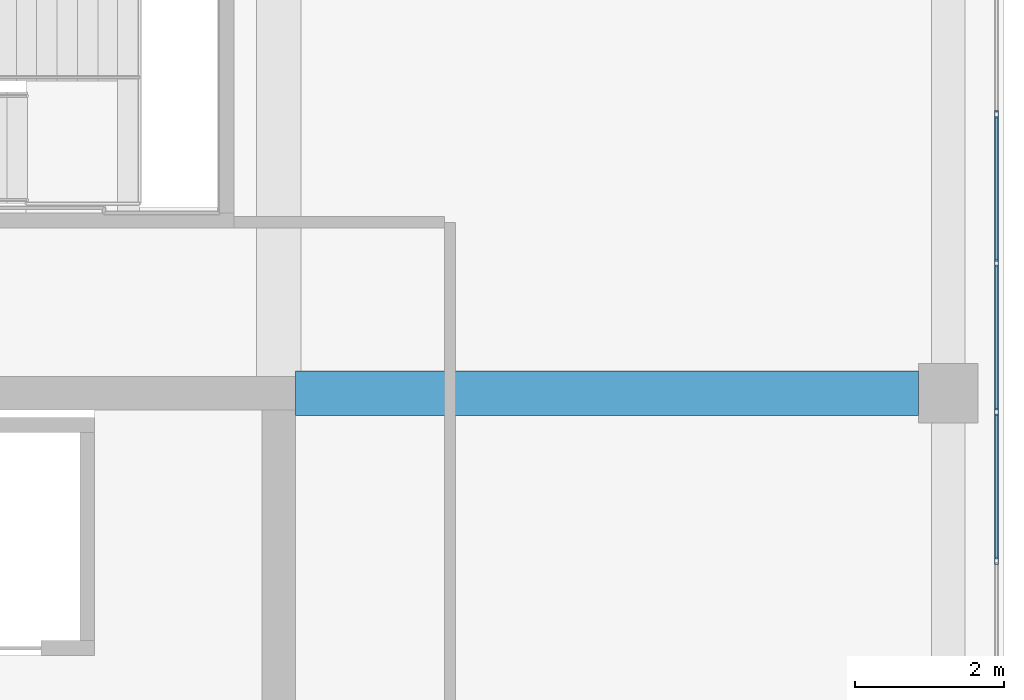
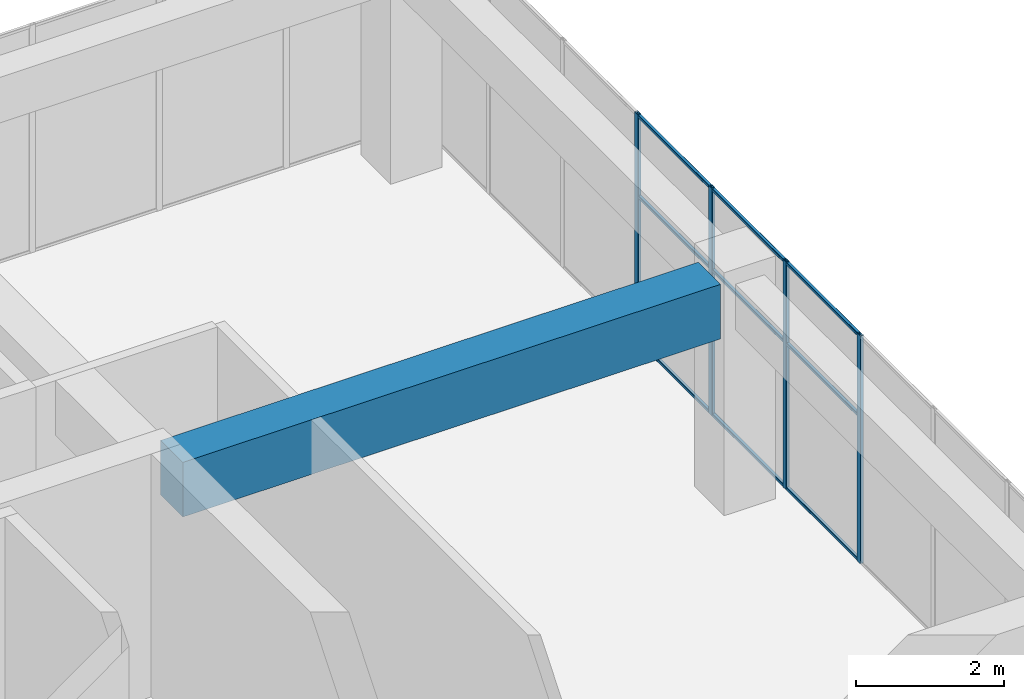
# One storey, part 43 of 66: 13 members, 1 beam, 1 element without a shape of its own.
"""IFC4 building model written with IfcOpenShell, lengths in metres."""

from ifc_helpers import new_model, si_unit, direction, frame, origin, origin_2d, place, context, subcontext, project, spatial, rectangle, hollow_rectangle, extrude, material, layer, layer_set, material_profile, profile_set, type_object, element, aggregate, save


model = new_model("IFC4")

# Units and contexts
model_context = context("Model", 3, precision=1e-05, world=origin(), true_north=direction((0.0, 1.0)))
body_context = subcontext(model_context, "Body", "Model", "MODEL_VIEW")
ifc_project = project(units=[si_unit("LENGTHUNIT", "METRE"), si_unit("AREAUNIT", "SQUARE_METRE"), si_unit("VOLUMEUNIT", "CUBIC_METRE"), si_unit("PLANEANGLEUNIT", "RADIAN"), si_unit("MASSUNIT", "GRAM", prefix="KILO")], contexts=[model_context])

# Site, building, storey
site_placement = place(None, origin())
site = spatial("IfcSite", under=ifc_project, at=site_placement, CompositionType="ELEMENT")
building_placement = place(site_placement, origin())
building = spatial("IfcBuilding", under=site, at=building_placement, Name="Tuart Plaza Theatre", CompositionType="ELEMENT")
storey_placement = place(building_placement, frame((0.0, 0.0, 5.5)))
storey = spatial("IfcBuildingStorey", under=building, at=storey_placement, Name="L01", CompositionType="ELEMENT", Elevation=5.5)

# Beam
ifc_material_1 = material(Name="Concrete N40 (40 MPa)", Category="concrete")
ifc_material_profile_1 = material_profile(ifc_material_1, rectangle(XDim=0.60009765625, YDim=0.89990234375, at=origin_2d()), Name="BEAM 600x900 Concrete N40 (40 MPa)")
ifc_profile_set_1 = profile_set([ifc_material_profile_1], Name="Concrete N40 (40 MPa)")
beam_type = type_object("IfcBeamType", Name="BEAM 600x900 Concrete N40 (40 MPa)", PredefinedType="BEAM", material=ifc_profile_set_1)
beam_placement = place(storey_placement, frame((141.22509765625, 83.0, 3.300048828125), z_axis=(1.0, 0.0, 0.0), x_axis=(0.0, 1.0, 0.0)))
element("IfcBeam", 1, at=beam_placement, inside=storey, type_object=beam_type, Name="RB196", PredefinedType="BEAM", context=body_context, shape_type="SweptSolid", body=[
    extrude(rectangle(XDim=0.60009765625, YDim=0.89990234375, at=origin_2d()), origin(), (0.0, 0.0, 1.0), 8.375),
])

# Curtain wall, members
ifc_material_2 = material(Name="Aluminium and glass", Category="aluminium")
ifc_layer = layer(ifc_material_2, 0.10009765625)
ifc_layer_set = layer_set([ifc_layer], Name="CURTAIN WALL 2000 module")
curtain_wall_type = type_object("IfcCurtainWallType", Name="CURTAIN WALL 2000 module", PredefinedType="NOTDEFINED", material=ifc_layer_set)
curtain_wall_placement = place(storey_placement, origin())
curtain_wall = element("IfcCurtainWall", 2, at=curtain_wall_placement, inside=storey, type_object=curtain_wall_type, Name="CW69", PredefinedType="NOTDEFINED")
ifc_material_3 = material(Name="Aluminium 6063-T5", Category="aluminium")
ifc_material_profile_2 = material_profile(ifc_material_3, hollow_rectangle(XDim=0.050048828125, YDim=0.10009765625, WallThickness=0.00390625, InnerFilletRadius=0.00390625, OuterFilletRadius=0.008056640625, at=origin_2d()), Name="RHS 100x50x4")
ifc_profile_set_2 = profile_set([ifc_material_profile_2], Name="Aluminium 6063-T5")
member_type_1 = type_object("IfcMemberType", Name="MULLION RHS 100x50x4", PredefinedType="MULLION", material=ifc_profile_set_2)
member_1_placement = place(storey_placement, frame((150.64990234375, 80.75, 0.0), z_axis=(0.0, 0.0, 1.0), x_axis=(-1.0, 0.0, 0.0)))
member_1 = element("IfcMember", 3, at=member_1_placement, type_object=member_type_1, Name="CW69 mullion 16", PredefinedType="MULLION", context=body_context, shape_type="SweptSolid", body=[
    extrude(hollow_rectangle(XDim=0.050048828125, YDim=0.10009765625, WallThickness=0.00390625, InnerFilletRadius=0.00390625, OuterFilletRadius=0.008056640625, at=origin_2d()), origin(), (0.0, 0.0, 1.0), 3.75),
])
member_2_placement = place(storey_placement, frame((150.64990234375, 82.75, 0.0), z_axis=(0.0, 0.0, 1.0), x_axis=(-1.0, 0.0, 0.0)))
member_2 = element("IfcMember", 4, at=member_2_placement, type_object=member_type_1, Name="CW69 mullion 17", PredefinedType="MULLION", context=body_context, shape_type="SweptSolid", body=[
    extrude(hollow_rectangle(XDim=0.050048828125, YDim=0.10009765625, WallThickness=0.00390625, InnerFilletRadius=0.00390625, OuterFilletRadius=0.008056640625, at=origin_2d()), origin(), (0.0, 0.0, 1.0), 3.75),
])
member_3_placement = place(storey_placement, frame((150.64990234375, 84.75, 0.0), z_axis=(0.0, 0.0, 1.0), x_axis=(-1.0, 0.0, 0.0)))
member_3 = element("IfcMember", 5, at=member_3_placement, type_object=member_type_1, Name="CW69 mullion 18", PredefinedType="MULLION", context=body_context, shape_type="SweptSolid", body=[
    extrude(hollow_rectangle(XDim=0.050048828125, YDim=0.10009765625, WallThickness=0.00390625, InnerFilletRadius=0.00390625, OuterFilletRadius=0.008056640625, at=origin_2d()), origin(), (0.0, 0.0, 1.0), 3.75),
])
member_4_placement = place(storey_placement, frame((150.64990234375, 86.75, 0.0), z_axis=(0.0, 0.0, 1.0), x_axis=(-1.0, 0.0, 0.0)))
member_4 = element("IfcMember", 6, at=member_4_placement, type_object=member_type_1, Name="CW69 mullion 19", PredefinedType="MULLION", context=body_context, shape_type="SweptSolid", body=[
    extrude(hollow_rectangle(XDim=0.050048828125, YDim=0.10009765625, WallThickness=0.00390625, InnerFilletRadius=0.00390625, OuterFilletRadius=0.008056640625, at=origin_2d()), origin(), (0.0, 0.0, 1.0), 3.75),
])
ifc_material_4 = material(Name="Aluminium 6063-T5", Category="aluminium")
ifc_material_profile_3 = material_profile(ifc_material_4, hollow_rectangle(XDim=0.050048828125, YDim=0.050048828125, WallThickness=0.00390625, InnerFilletRadius=0.00390625, OuterFilletRadius=0.008056640625, at=origin_2d()), Name="RHS 50x50x4")
ifc_profile_set_3 = profile_set([ifc_material_profile_3], Name="Aluminium 6063-T5")
member_type_2 = type_object("IfcMemberType", Name="TRANSOM RHS 50x50x4", PredefinedType="USERDEFINED", material=ifc_profile_set_3)
member_5_placement = place(storey_placement, frame((150.64990234375, 80.77490234375, 0.02490234375), z_axis=(0.0, 1.0, 0.0), x_axis=(-1.0, 0.0, 0.0)))
member_5 = element("IfcMember", 7, at=member_5_placement, type_object=member_type_2, Name="CW69 transom 16.1", ObjectType="TRANSOM", PredefinedType="USERDEFINED", context=body_context, shape_type="SweptSolid", body=[
    extrude(hollow_rectangle(XDim=0.050048828125, YDim=0.050048828125, WallThickness=0.00390625, InnerFilletRadius=0.00390625, OuterFilletRadius=0.008056640625, at=origin_2d()), origin(), (0.0, 0.0, 1.0), 1.9501953125),
])
member_6_placement = place(storey_placement, frame((150.64990234375, 80.77490234375, 2.39990234375), z_axis=(0.0, 1.0, 0.0), x_axis=(-1.0, 0.0, 0.0)))
member_6 = element("IfcMember", 8, at=member_6_placement, type_object=member_type_2, Name="CW69 transom 16.2", ObjectType="TRANSOM", PredefinedType="USERDEFINED", context=body_context, shape_type="SweptSolid", body=[
    extrude(hollow_rectangle(XDim=0.050048828125, YDim=0.050048828125, WallThickness=0.00390625, InnerFilletRadius=0.00390625, OuterFilletRadius=0.008056640625, at=origin_2d()), origin(), (0.0, 0.0, 1.0), 1.9501953125),
])
member_7_placement = place(storey_placement, frame((150.64990234375, 80.77490234375, 3.72509765625), z_axis=(0.0, 1.0, 0.0), x_axis=(-1.0, 0.0, 0.0)))
member_7 = element("IfcMember", 9, at=member_7_placement, type_object=member_type_2, Name="CW69 transom 16.3", ObjectType="TRANSOM", PredefinedType="USERDEFINED", context=body_context, shape_type="SweptSolid", body=[
    extrude(hollow_rectangle(XDim=0.050048828125, YDim=0.050048828125, WallThickness=0.00390625, InnerFilletRadius=0.00390625, OuterFilletRadius=0.008056640625, at=origin_2d()), origin(), (0.0, 0.0, 1.0), 1.9501953125),
])
member_8_placement = place(storey_placement, frame((150.64990234375, 82.77490234375, 0.02490234375), z_axis=(0.0, 1.0, 0.0), x_axis=(-1.0, 0.0, 0.0)))
member_8 = element("IfcMember", 10, at=member_8_placement, type_object=member_type_2, Name="CW69 transom 17.1", ObjectType="TRANSOM", PredefinedType="USERDEFINED", context=body_context, shape_type="SweptSolid", body=[
    extrude(hollow_rectangle(XDim=0.050048828125, YDim=0.050048828125, WallThickness=0.00390625, InnerFilletRadius=0.00390625, OuterFilletRadius=0.008056640625, at=origin_2d()), origin(), (0.0, 0.0, 1.0), 1.9501953125),
])
member_9_placement = place(storey_placement, frame((150.64990234375, 82.77490234375, 2.39990234375), z_axis=(0.0, 1.0, 0.0), x_axis=(-1.0, 0.0, 0.0)))
member_9 = element("IfcMember", 11, at=member_9_placement, type_object=member_type_2, Name="CW69 transom 17.2", ObjectType="TRANSOM", PredefinedType="USERDEFINED", context=body_context, shape_type="SweptSolid", body=[
    extrude(hollow_rectangle(XDim=0.050048828125, YDim=0.050048828125, WallThickness=0.00390625, InnerFilletRadius=0.00390625, OuterFilletRadius=0.008056640625, at=origin_2d()), origin(), (0.0, 0.0, 1.0), 1.9501953125),
])
member_10_placement = place(storey_placement, frame((150.64990234375, 82.77490234375, 3.72509765625), z_axis=(0.0, 1.0, 0.0), x_axis=(-1.0, 0.0, 0.0)))
member_10 = element("IfcMember", 12, at=member_10_placement, type_object=member_type_2, Name="CW69 transom 17.3", ObjectType="TRANSOM", PredefinedType="USERDEFINED", context=body_context, shape_type="SweptSolid", body=[
    extrude(hollow_rectangle(XDim=0.050048828125, YDim=0.050048828125, WallThickness=0.00390625, InnerFilletRadius=0.00390625, OuterFilletRadius=0.008056640625, at=origin_2d()), origin(), (0.0, 0.0, 1.0), 1.9501953125),
])
member_11_placement = place(storey_placement, frame((150.64990234375, 84.77490234375, 0.02490234375), z_axis=(0.0, 1.0, 0.0), x_axis=(-1.0, 0.0, 0.0)))
member_11 = element("IfcMember", 13, at=member_11_placement, type_object=member_type_2, Name="CW69 transom 18.1", ObjectType="TRANSOM", PredefinedType="USERDEFINED", context=body_context, shape_type="SweptSolid", body=[
    extrude(hollow_rectangle(XDim=0.050048828125, YDim=0.050048828125, WallThickness=0.00390625, InnerFilletRadius=0.00390625, OuterFilletRadius=0.008056640625, at=origin_2d()), origin(), (0.0, 0.0, 1.0), 1.9501953125),
])
member_12_placement = place(storey_placement, frame((150.64990234375, 84.77490234375, 2.39990234375), z_axis=(0.0, 1.0, 0.0), x_axis=(-1.0, 0.0, 0.0)))
member_12 = element("IfcMember", 14, at=member_12_placement, type_object=member_type_2, Name="CW69 transom 18.2", ObjectType="TRANSOM", PredefinedType="USERDEFINED", context=body_context, shape_type="SweptSolid", body=[
    extrude(hollow_rectangle(XDim=0.050048828125, YDim=0.050048828125, WallThickness=0.00390625, InnerFilletRadius=0.00390625, OuterFilletRadius=0.008056640625, at=origin_2d()), origin(), (0.0, 0.0, 1.0), 1.9501953125),
])
member_13_placement = place(storey_placement, frame((150.64990234375, 84.77490234375, 3.72509765625), z_axis=(0.0, 1.0, 0.0), x_axis=(-1.0, 0.0, 0.0)))
member_13 = element("IfcMember", 15, at=member_13_placement, type_object=member_type_2, Name="CW69 transom 18.3", ObjectType="TRANSOM", PredefinedType="USERDEFINED", context=body_context, shape_type="SweptSolid", body=[
    extrude(hollow_rectangle(XDim=0.050048828125, YDim=0.050048828125, WallThickness=0.00390625, InnerFilletRadius=0.00390625, OuterFilletRadius=0.008056640625, at=origin_2d()), origin(), (0.0, 0.0, 1.0), 1.9501953125),
])
aggregate(curtain_wall, [member_1, member_2, member_3, member_4, member_5, member_6, member_7, member_8, member_9, member_10, member_11, member_12, member_13])

save(model, "model.ifc")
